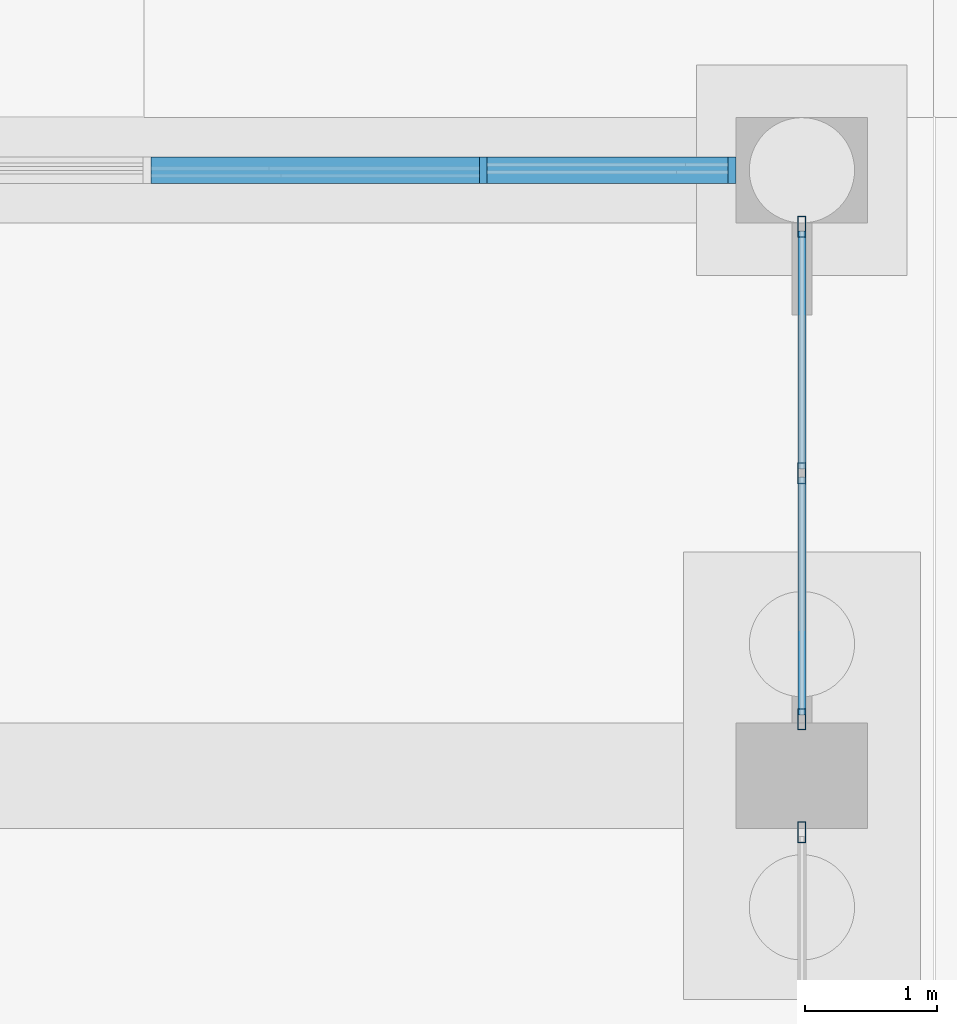
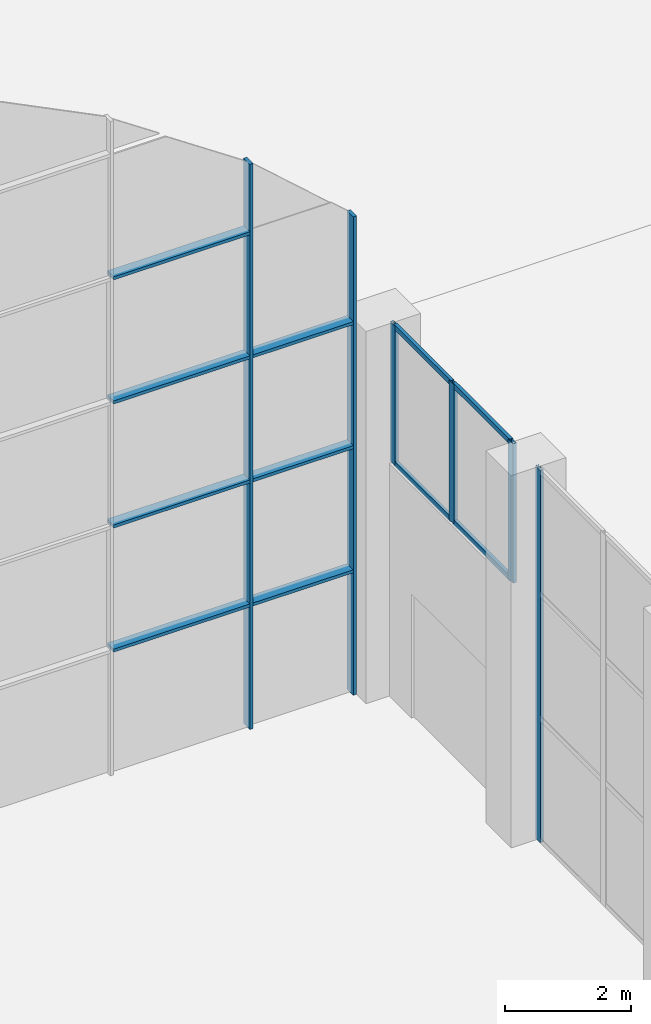
# One storey, part 135 of 239: 17 members, 3 elements without a shape of their own.
"""IFC4 building model written with IfcOpenShell, lengths in metres."""

from ifc_helpers import new_model, si_unit, direction, frame, origin, origin_2d, place, context, subcontext, project, spatial, rectangle, hollow_rectangle, extrude, material, material_profile, profile_set, type_object, element, aggregate, save


model = new_model("IFC4")

# Units and contexts
model_context = context("Model", 3, precision=1e-05, world=origin(), true_north=direction((0.0, 1.0)))
body_context = subcontext(model_context, "Body", "Model", "MODEL_VIEW")
ifc_project = project(units=[si_unit("LENGTHUNIT", "METRE"), si_unit("AREAUNIT", "SQUARE_METRE"), si_unit("VOLUMEUNIT", "CUBIC_METRE"), si_unit("PLANEANGLEUNIT", "RADIAN"), si_unit("MASSUNIT", "GRAM", prefix="KILO")], contexts=[model_context])

# Site, building, storey
site_placement = place(None, origin())
site = spatial("IfcSite", under=ifc_project, at=site_placement, CompositionType="ELEMENT")
building_placement = place(site_placement, origin())
building = spatial("IfcBuilding", under=site, at=building_placement, Name="Okhra Congress Centre", CompositionType="ELEMENT")
storey_placement = place(building_placement, origin())
storey = spatial("IfcBuildingStorey", under=building, at=storey_placement, Name="L00", CompositionType="ELEMENT", Elevation=0.0)

# Curtain wall, members
ifc_material_1 = material(Name="Aluminium frame with triple glazing", Category="aluminium")
curtain_wall_type_1 = type_object("IfcCurtainWallType", Name="Glazed gable curtain wall", PredefinedType="NOTDEFINED", material=ifc_material_1)
curtain_wall_1_placement = place(storey_placement, origin())
curtain_wall_1 = element("IfcCurtainWall", 1, at=curtain_wall_1_placement, inside=storey, type_object=curtain_wall_type_1, Name="North gable glazing east", PredefinedType="NOTDEFINED")
ifc_material_2 = material(Name="Aluminium alloy 6063", Category="aluminium")
ifc_material_profile_1 = material_profile(ifc_material_2, rectangle(XDim=0.06005859375, YDim=0.199951171875, at=origin_2d()), Name="AL 60x200 gable")
ifc_profile_set_1 = profile_set([ifc_material_profile_1], Name="Aluminium alloy 6063")
member_type_1 = type_object("IfcMemberType", Name="Aluminium gable mullion 60x200", PredefinedType="MULLION", material=ifc_profile_set_1)
member_1_placement = place(storey_placement, frame((186.5791015625, 215.60009765625, 0.0), z_axis=(0.0, 0.0, 1.0), x_axis=(1.0, 0.0, 0.0)))
member_1 = element("IfcMember", 2, at=member_1_placement, type_object=member_type_1, Name="North gable glazing east mullion 4", PredefinedType="MULLION", context=body_context, shape_type="SweptSolid", body=[
    extrude(rectangle(XDim=0.06005859375, YDim=0.199951171875, at=origin_2d()), origin(), (0.0, 0.0, 1.0), 10.93212890625),
])
member_2_placement = place(storey_placement, frame((188.469970703125, 215.60009765625, 0.0), z_axis=(0.0, 0.0, 1.0), x_axis=(1.0, 0.0, 0.0)))
member_2 = element("IfcMember", 3, at=member_2_placement, type_object=member_type_1, Name="North gable glazing east mullion 5", PredefinedType="MULLION", context=body_context, shape_type="SweptSolid", body=[
    extrude(rectangle(XDim=0.06005859375, YDim=0.199951171875, at=origin_2d()), origin(), (0.0, 0.0, 1.0), 9.254150390625),
])
ifc_material_profile_2 = material_profile(ifc_material_2, rectangle(XDim=0.199951171875, YDim=0.06005859375, at=origin_2d()), Name="AL 200x60 gable transom")
ifc_profile_set_2 = profile_set([ifc_material_profile_2], Name="Aluminium alloy 6063")
member_type_2 = type_object("IfcMemberType", Name="Aluminium gable transom 200x60", PredefinedType="USERDEFINED", material=ifc_profile_set_2)
member_3_placement = place(storey_placement, frame((184.05419921875, 215.60009765625, 2.39990234375), z_axis=(1.0, 0.0, 0.0), x_axis=(0.0, 1.0, 0.0)))
member_3 = element("IfcMember", 4, at=member_3_placement, type_object=member_type_2, Name="North gable glazing east transom 3.1", ObjectType="TRANSOM", PredefinedType="USERDEFINED", context=body_context, shape_type="SweptSolid", body=[
    extrude(rectangle(XDim=0.199951171875, YDim=0.06005859375, at=origin_2d()), origin(), (0.0, 0.0, 1.0), 2.494873046875),
])
member_4_placement = place(storey_placement, frame((184.05419921875, 215.60009765625, 4.800048828125), z_axis=(1.0, 0.0, 0.0), x_axis=(0.0, 1.0, 0.0)))
member_4 = element("IfcMember", 5, at=member_4_placement, type_object=member_type_2, Name="North gable glazing east transom 3.2", ObjectType="TRANSOM", PredefinedType="USERDEFINED", context=body_context, shape_type="SweptSolid", body=[
    extrude(rectangle(XDim=0.199951171875, YDim=0.06005859375, at=origin_2d()), origin(), (0.0, 0.0, 1.0), 2.494873046875),
])
member_5_placement = place(storey_placement, frame((184.05419921875, 215.60009765625, 7.199951171875), z_axis=(1.0, 0.0, 0.0), x_axis=(0.0, 1.0, 0.0)))
member_5 = element("IfcMember", 6, at=member_5_placement, type_object=member_type_2, Name="North gable glazing east transom 3.3", ObjectType="TRANSOM", PredefinedType="USERDEFINED", context=body_context, shape_type="SweptSolid", body=[
    extrude(rectangle(XDim=0.199951171875, YDim=0.06005859375, at=origin_2d()), origin(), (0.0, 0.0, 1.0), 2.494873046875),
])
member_6_placement = place(storey_placement, frame((184.05419921875, 215.60009765625, 9.60009765625), z_axis=(1.0, 0.0, 0.0), x_axis=(0.0, 1.0, 0.0)))
member_6 = element("IfcMember", 7, at=member_6_placement, type_object=member_type_2, Name="North gable glazing east transom 3.4", ObjectType="TRANSOM", PredefinedType="USERDEFINED", context=body_context, shape_type="SweptSolid", body=[
    extrude(rectangle(XDim=0.199951171875, YDim=0.06005859375, at=origin_2d()), origin(), (0.0, 0.0, 1.0), 2.494873046875),
])
member_7_placement = place(storey_placement, frame((186.60888671875, 215.60009765625, 2.39990234375), z_axis=(1.0, 0.0, 0.0), x_axis=(0.0, 1.0, 0.0)))
member_7 = element("IfcMember", 8, at=member_7_placement, type_object=member_type_2, Name="North gable glazing east transom 4.1", ObjectType="TRANSOM", PredefinedType="USERDEFINED", context=body_context, shape_type="SweptSolid", body=[
    extrude(rectangle(XDim=0.199951171875, YDim=0.06005859375, at=origin_2d()), origin(), (0.0, 0.0, 1.0), 1.8310546875),
])
member_8_placement = place(storey_placement, frame((186.60888671875, 215.60009765625, 4.800048828125), z_axis=(1.0, 0.0, 0.0), x_axis=(0.0, 1.0, 0.0)))
member_8 = element("IfcMember", 9, at=member_8_placement, type_object=member_type_2, Name="North gable glazing east transom 4.2", ObjectType="TRANSOM", PredefinedType="USERDEFINED", context=body_context, shape_type="SweptSolid", body=[
    extrude(rectangle(XDim=0.199951171875, YDim=0.06005859375, at=origin_2d()), origin(), (0.0, 0.0, 1.0), 1.8310546875),
])
member_9_placement = place(storey_placement, frame((186.60888671875, 215.60009765625, 7.199951171875), z_axis=(1.0, 0.0, 0.0), x_axis=(0.0, 1.0, 0.0)))
member_9 = element("IfcMember", 10, at=member_9_placement, type_object=member_type_2, Name="North gable glazing east transom 4.3", ObjectType="TRANSOM", PredefinedType="USERDEFINED", context=body_context, shape_type="SweptSolid", body=[
    extrude(rectangle(XDim=0.199951171875, YDim=0.06005859375, at=origin_2d()), origin(), (0.0, 0.0, 1.0), 1.8310546875),
])
aggregate(curtain_wall_1, [member_1, member_2, member_3, member_4, member_5, member_6, member_7, member_8, member_9])

# Curtain wall, member
ifc_material_3 = material(Name="Aluminium curtain wall, triple glazing", Category="aluminium")
curtain_wall_type_2 = type_object("IfcCurtainWallType", Name="Curtain wall 2100 module", PredefinedType="NOTDEFINED", material=ifc_material_3)
curtain_wall_2_placement = place(storey_placement, origin())
curtain_wall_2 = element("IfcCurtainWall", 11, at=curtain_wall_2_placement, inside=storey, type_object=curtain_wall_type_2, Name="East bay 8 glazing", PredefinedType="NOTDEFINED")
ifc_material_4 = material(Name="Aluminium alloy EN AW-6063 T66", Category="aluminium")
ifc_material_profile_3 = material_profile(ifc_material_4, hollow_rectangle(XDim=0.06005859375, YDim=0.159912109375, WallThickness=0.00390625, at=origin_2d()), Name="RHS 60x160x4")
ifc_profile_set_3 = profile_set([ifc_material_profile_3], Name="Aluminium alloy EN AW-6063 T66")
member_type_3 = type_object("IfcMemberType", Name="Curtain wall mullion 60x160", PredefinedType="MULLION", material=ifc_profile_set_3)
member_10_placement = place(storey_placement, frame((189.0, 210.570068359375, 0.0), z_axis=(0.0, 0.0, 1.0), x_axis=(-1.0, 0.0, 0.0)))
member_10 = element("IfcMember", 12, at=member_10_placement, type_object=member_type_3, Name="CW4 mullion 3", PredefinedType="MULLION", context=body_context, shape_type="SweptSolid", body=[
    extrude(hollow_rectangle(XDim=0.06005859375, YDim=0.159912109375, WallThickness=0.00390625, at=origin_2d()), origin(), (0.0, 0.0, 1.0), 7.199951171875),
])
aggregate(curtain_wall_2, [member_10])

# Curtain wall, members
curtain_wall_3_placement = place(storey_placement, origin())
curtain_wall_3 = element("IfcCurtainWall", 13, at=curtain_wall_3_placement, inside=storey, type_object=curtain_wall_type_2, Name="East bay 9 glazing above the doors", PredefinedType="NOTDEFINED")
member_11_placement = place(storey_placement, frame((189.0, 211.429931640625, 4.5), z_axis=(0.0, 0.0, 1.0), x_axis=(-1.0, 0.0, 0.0)))
member_11 = element("IfcMember", 14, at=member_11_placement, type_object=member_type_3, Name="CW4 mullion 1", PredefinedType="MULLION", context=body_context, shape_type="SweptSolid", body=[
    extrude(hollow_rectangle(XDim=0.06005859375, YDim=0.159912109375, WallThickness=0.00390625, at=origin_2d()), origin(), (0.0, 0.0, 1.0), 2.699951171875),
])
member_12_placement = place(storey_placement, frame((189.0, 213.300048828125, 4.5), z_axis=(0.0, 0.0, 1.0), x_axis=(-1.0, 0.0, 0.0)))
member_12 = element("IfcMember", 15, at=member_12_placement, type_object=member_type_3, Name="CW4 mullion 2", PredefinedType="MULLION", context=body_context, shape_type="SweptSolid", body=[
    extrude(hollow_rectangle(XDim=0.06005859375, YDim=0.159912109375, WallThickness=0.00390625, at=origin_2d()), origin(), (0.0, 0.0, 1.0), 2.699951171875),
])
member_13_placement = place(storey_placement, frame((189.0, 215.169921875, 4.5), z_axis=(0.0, 0.0, 1.0), x_axis=(-1.0, 0.0, 0.0)))
member_13 = element("IfcMember", 16, at=member_13_placement, type_object=member_type_3, Name="CW4 mullion 3", PredefinedType="MULLION", context=body_context, shape_type="SweptSolid", body=[
    extrude(hollow_rectangle(XDim=0.06005859375, YDim=0.159912109375, WallThickness=0.00390625, at=origin_2d()), origin(), (0.0, 0.0, 1.0), 2.699951171875),
])
ifc_material_profile_4 = material_profile(ifc_material_4, hollow_rectangle(XDim=0.06005859375, YDim=0.10009765625, WallThickness=0.00390625, at=origin_2d()), Name="RHS 60x100x4")
ifc_profile_set_4 = profile_set([ifc_material_profile_4], Name="Aluminium alloy EN AW-6063 T66")
member_type_4 = type_object("IfcMemberType", Name="Curtain wall transom 60x100", PredefinedType="USERDEFINED", material=ifc_profile_set_4)
member_14_placement = place(storey_placement, frame((189.0, 211.4599609375, 4.530029296875), z_axis=(0.0, 1.0, 0.0), x_axis=(-1.0, 0.0, 0.0)))
member_14 = element("IfcMember", 17, at=member_14_placement, type_object=member_type_4, Name="CW4 transom 1.1", ObjectType="TRANSOM", PredefinedType="USERDEFINED", context=body_context, shape_type="SweptSolid", body=[
    extrude(hollow_rectangle(XDim=0.06005859375, YDim=0.10009765625, WallThickness=0.00390625, at=origin_2d()), origin(), (0.0, 0.0, 1.0), 1.81005859375),
])
member_15_placement = place(storey_placement, frame((189.0, 211.4599609375, 7.169921875), z_axis=(0.0, 1.0, 0.0), x_axis=(-1.0, 0.0, 0.0)))
member_15 = element("IfcMember", 18, at=member_15_placement, type_object=member_type_4, Name="CW4 transom 1.2", ObjectType="TRANSOM", PredefinedType="USERDEFINED", context=body_context, shape_type="SweptSolid", body=[
    extrude(hollow_rectangle(XDim=0.06005859375, YDim=0.10009765625, WallThickness=0.00390625, at=origin_2d()), origin(), (0.0, 0.0, 1.0), 1.81005859375),
])
member_16_placement = place(storey_placement, frame((189.0, 213.330078125, 4.530029296875), z_axis=(0.0, 1.0, 0.0), x_axis=(-1.0, 0.0, 0.0)))
member_16 = element("IfcMember", 19, at=member_16_placement, type_object=member_type_4, Name="CW4 transom 2.1", ObjectType="TRANSOM", PredefinedType="USERDEFINED", context=body_context, shape_type="SweptSolid", body=[
    extrude(hollow_rectangle(XDim=0.06005859375, YDim=0.10009765625, WallThickness=0.00390625, at=origin_2d()), origin(), (0.0, 0.0, 1.0), 1.809814453125),
])
member_17_placement = place(storey_placement, frame((189.0, 213.330078125, 7.169921875), z_axis=(0.0, 1.0, 0.0), x_axis=(-1.0, 0.0, 0.0)))
member_17 = element("IfcMember", 20, at=member_17_placement, type_object=member_type_4, Name="CW4 transom 2.2", ObjectType="TRANSOM", PredefinedType="USERDEFINED", context=body_context, shape_type="SweptSolid", body=[
    extrude(hollow_rectangle(XDim=0.06005859375, YDim=0.10009765625, WallThickness=0.00390625, at=origin_2d()), origin(), (0.0, 0.0, 1.0), 1.809814453125),
])
aggregate(curtain_wall_3, [member_11, member_12, member_13, member_14, member_15, member_16, member_17])

save(model, "model.ifc")
